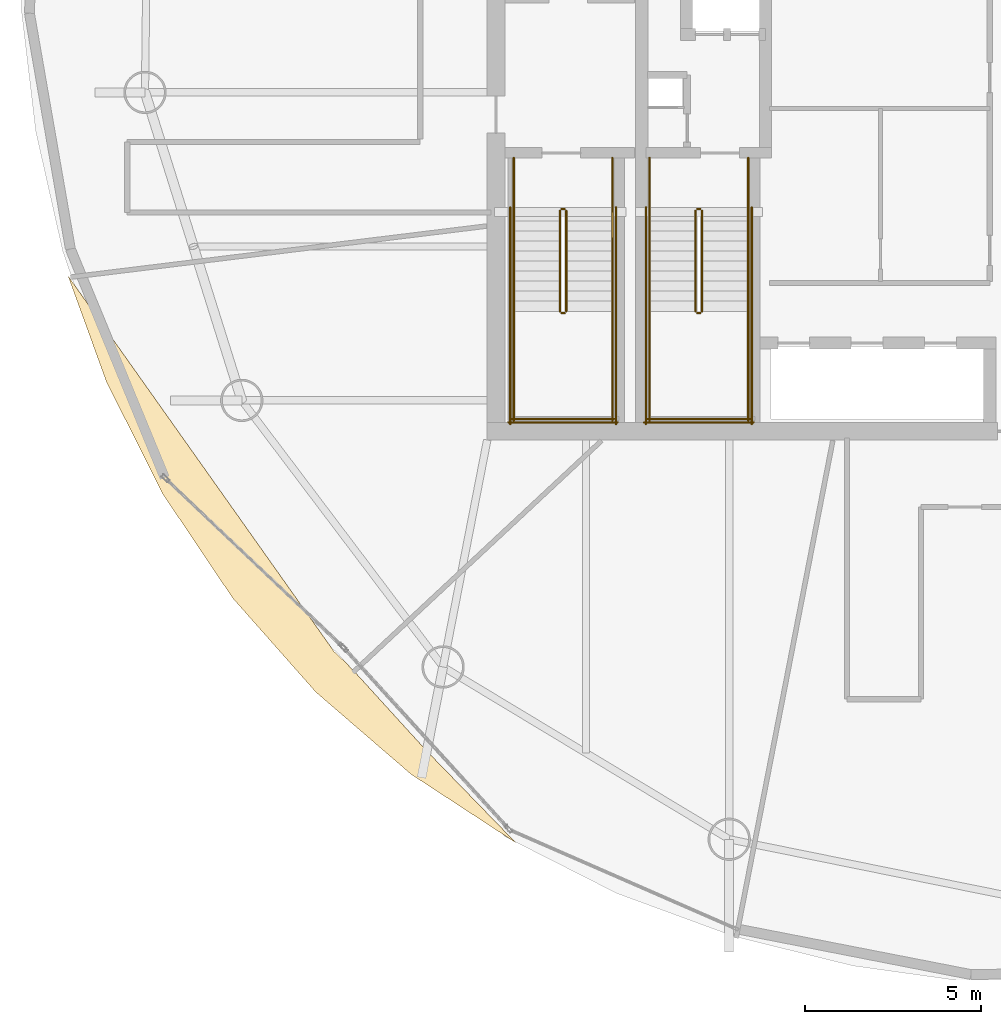
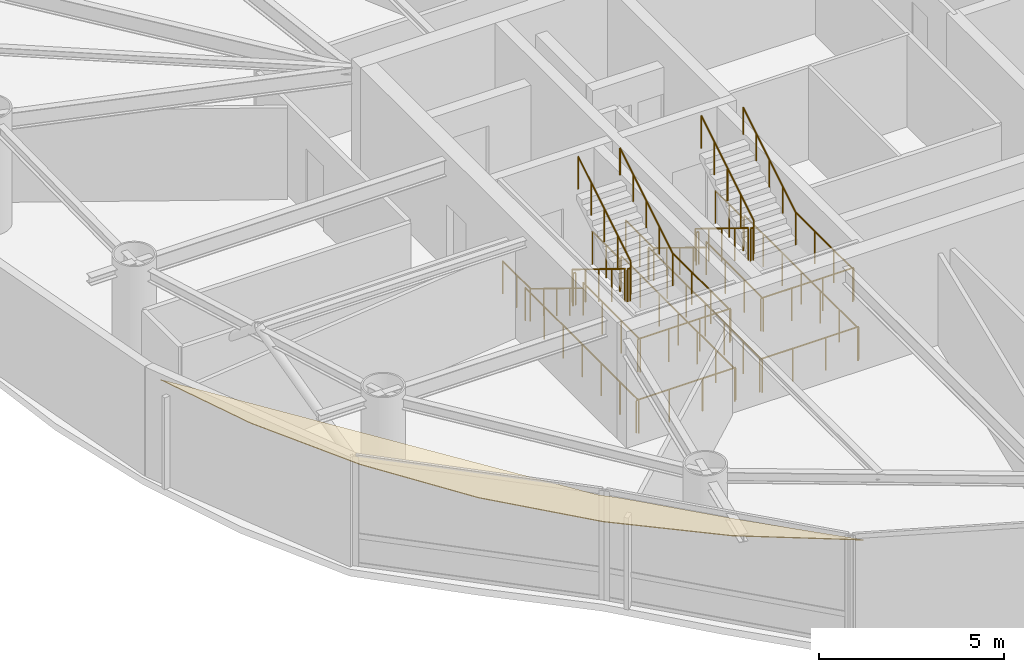
# One storey, part 19 of 22: 28 railings, 1 covering.
"""IFC4 building model written with IfcOpenShell, lengths in metres."""

from ifc_helpers import new_model, si_unit, direction, frame, origin, origin_2d, place, context, subcontext, project, spatial, polyline, circle, outline, extrude, material, layer, layer_set, type_object, element, save


model = new_model("IFC4")

# Units and contexts
model_context = context("Model", 3, precision=1e-05, world=origin(), true_north=direction((0.0, 1.0)))
body_context = subcontext(model_context, "Body", "Model", "MODEL_VIEW")
ifc_project = project(units=[si_unit("LENGTHUNIT", "METRE"), si_unit("AREAUNIT", "SQUARE_METRE"), si_unit("VOLUMEUNIT", "CUBIC_METRE"), si_unit("PLANEANGLEUNIT", "RADIAN"), si_unit("MASSUNIT", "GRAM", prefix="KILO")], contexts=[model_context])

# Site, building, storey
site_placement = place(None, origin())
site = spatial("IfcSite", under=ifc_project, at=site_placement, CompositionType="ELEMENT")
building_placement = place(site_placement, origin())
building = spatial("IfcBuilding", under=site, at=building_placement, Name="Bramvorn Convention Spire", CompositionType="ELEMENT")
storey_placement = place(building_placement, frame((0.0, 0.0, 213.550048828125)))
storey = spatial("IfcBuildingStorey", under=building, at=storey_placement, Name="L54", CompositionType="ELEMENT", Elevation=213.550048828125)

# Covering
ifc_material_1 = material(Name="Champagne Bronze Aluminium Composite Soffit", Category="aluminium")
ifc_layer = layer(ifc_material_1, 0.02490234375)
ifc_layer_set = layer_set([ifc_layer], Name="Champagne Bronze Aluminium Composite Soffit - COV-CLAD-SOFFIT-25")
covering_type = type_object("IfcCoveringType", Name="COV-CLAD-SOFFIT-25", PredefinedType="CLADDING", material=ifc_layer_set)
covering_placement = place(storey_placement, frame((0.0, 0.0, 3.594970703125)))
element("IfcCovering", 1, at=covering_placement, inside=storey, type_object=covering_type, Name="L53 double-height Sky Garden bronze soffit", PredefinedType="CLADDING", context=body_context, shape_type="SweptSolid", body=[
    extrude(outline(polyline([(24.5849609375, 9.07568359375), (27.564697265625, 7.126708984375), (25.04443359375, 9.721923828125), (23.11572265625, 11.83935546875), (22.72900390625, 12.248779296875), (22.412109375, 12.544189453125), (14.865478515625, 23.199462890625), (15.952392578125, 20.2001953125), (17.54833984375, 17.021728515625), (19.533447265625, 14.06591796875), (21.890380859375, 11.39990234375), (24.5849609375, 9.07568359375)])), origin(), (0.0, 0.0, 1.0), 0.02490234375),
])

# Railings
ifc_material_2 = material(Name="Painted Steel Balustrade & Guardrail", Category="steel")
railing_type_1 = type_object("IfcRailingType", Name="RL-STAIR-GUARD-1100", PredefinedType="GUARDRAIL", material=ifc_material_2)
railing_1_placement = place(storey_placement, frame((28.81005859375, 25.050048828125, 0.175048828125)))
element("IfcRailing", 2, at=railing_1_placement, inside=storey, type_object=railing_type_1, Name="L54 ST1 stair guard 1", PredefinedType="GUARDRAIL", context=body_context, shape_type="SweptSolid", body=[
    extrude(circle(Radius=0.02392578125, at=origin_2d()), frame((0.0, 0.0, 1.076171875), z_axis=(0.0, -0.852179220489, 0.52325001306), x_axis=(1.0, 0.0, 0.0)), (0.0, 0.0, 1.0), 3.344482421875),
    extrude(circle(Radius=0.02099609375, at=origin_2d()), origin(), (0.0, 0.0, 1.0), 1.052001953125),
    extrude(circle(Radius=0.02099609375, at=origin_2d()), frame((0.0, -0.71240234375, 0.4375)), (0.0, 0.0, 1.0), 1.052001953125),
    extrude(circle(Radius=0.02099609375, at=origin_2d()), frame((0.0, -1.425048828125, 0.875)), (0.0, 0.0, 1.0), 1.052001953125),
    extrude(circle(Radius=0.02099609375, at=origin_2d()), frame((0.0, -2.1376953125, 1.3125)), (0.0, 0.0, 1.0), 1.052001953125),
    extrude(circle(Radius=0.02099609375, at=origin_2d()), frame((0.0, -2.85009765625, 1.75)), (0.0, 0.0, 1.0), 1.052001953125),
])
railing_2_placement = place(storey_placement, frame((28.860107421875, 22.14990234375, 1.925048828125)))
element("IfcRailing", 3, at=railing_2_placement, inside=storey, type_object=railing_type_1, Name="L54 ST1 stair guard 2", PredefinedType="GUARDRAIL", context=body_context, shape_type="SweptSolid", body=[
    extrude(circle(Radius=0.02392578125, at=origin_2d()), frame((0.0, 0.0, 1.076171875), z_axis=(1.0, 0.0, 0.0), x_axis=(0.0, 1.0, 0.0)), (0.0, 0.0, 1.0), 0.079833984375),
    extrude(circle(Radius=0.02099609375, at=origin_2d()), origin(), (0.0, 0.0, 1.0), 1.052001953125),
    extrude(circle(Radius=0.02099609375, at=origin_2d()), frame((0.079833984375, 0.0, 0.0)), (0.0, 0.0, 1.0), 1.052001953125),
])
for number, where, name in (
    (4, (27.5, 22.199951171875, 1.925048828125), "L54 ST1 stair guard 3"),
    (5, (30.300048828125, 22.199951171875, 1.925048828125), "L54 ST1 stair guard 4"),
):
    element("IfcRailing", number, at=place(storey_placement, frame(where)), inside=storey, type_object=railing_type_1, Name=name, PredefinedType="GUARDRAIL", context=body_context, shape_type="SweptSolid", body=[
        extrude(circle(Radius=0.02392578125, at=origin_2d()), frame((0.0, 0.0, 1.076171875), z_axis=(0.0, -1.0, 0.0), x_axis=(1.0, 0.0, 0.0)), (0.0, 0.0, 1.0), 3.099853515625),
        extrude(circle(Radius=0.02099609375, at=origin_2d()), origin(), (0.0, 0.0, 1.0), 1.052001953125),
        extrude(circle(Radius=0.02099609375, at=origin_2d()), frame((0.0, -1.033203125, 0.0)), (0.0, 0.0, 1.0), 1.052001953125),
        extrude(circle(Radius=0.02099609375, at=origin_2d()), frame((0.0, -2.066650390625, 0.0)), (0.0, 0.0, 1.0), 1.052001953125),
        extrude(circle(Radius=0.02099609375, at=origin_2d()), frame((0.0, -3.099853515625, 0.0)), (0.0, 0.0, 1.0), 1.052001953125),
    ])
railing_3_placement = place(storey_placement, frame((27.449951171875, 19.14990234375, 1.925048828125)))
element("IfcRailing", 6, at=railing_3_placement, inside=storey, type_object=railing_type_1, Name="L54 ST1 stair guard 5", PredefinedType="GUARDRAIL", context=body_context, shape_type="SweptSolid", body=[
    extrude(circle(Radius=0.02392578125, at=origin_2d()), frame((0.0, 0.0, 1.076171875), z_axis=(1.0, 0.0, 0.0), x_axis=(0.0, 1.0, 0.0)), (0.0, 0.0, 1.0), 2.900146484375),
    extrude(circle(Radius=0.02099609375, at=origin_2d()), origin(), (0.0, 0.0, 1.0), 1.052001953125),
    extrude(circle(Radius=0.02099609375, at=origin_2d()), frame((0.966796875, 0.0, 0.0)), (0.0, 0.0, 1.0), 1.052001953125),
    extrude(circle(Radius=0.02099609375, at=origin_2d()), frame((1.933349609375, 0.0, 0.0)), (0.0, 0.0, 1.0), 1.052001953125),
    extrude(circle(Radius=0.02099609375, at=origin_2d()), frame((2.900146484375, 0.0, 0.0)), (0.0, 0.0, 1.0), 1.052001953125),
])
railing_4_placement = place(storey_placement, frame((28.989990234375, 22.199951171875, 2.099853515625)))
element("IfcRailing", 7, at=railing_4_placement, inside=storey, type_object=railing_type_1, Name="L54 ST1 stair guard 6", PredefinedType="GUARDRAIL", context=body_context, shape_type="SweptSolid", body=[
    extrude(circle(Radius=0.02392578125, at=origin_2d()), frame((0.0, 0.0, 1.076171875), z_axis=(0.0, 0.852179220489, 0.52325001306), x_axis=(-1.0, 0.0, 0.0)), (0.0, 0.0, 1.0), 3.344482421875),
    extrude(circle(Radius=0.02099609375, at=origin_2d()), origin(), (0.0, 0.0, 1.0), 1.052001953125),
    extrude(circle(Radius=0.02099609375, at=origin_2d()), frame((0.0, 0.71240234375, 0.4375)), (0.0, 0.0, 1.0), 1.052001953125),
    extrude(circle(Radius=0.02099609375, at=origin_2d()), frame((0.0, 1.425048828125, 0.875)), (0.0, 0.0, 1.0), 1.052001953125),
    extrude(circle(Radius=0.02099609375, at=origin_2d()), frame((0.0, 2.1376953125, 1.3125)), (0.0, 0.0, 1.0), 1.052001953125),
    extrude(circle(Radius=0.02099609375, at=origin_2d()), frame((0.0, 2.85009765625, 1.75)), (0.0, 0.0, 1.0), 1.052001953125),
])
railing_5_placement = place(storey_placement, frame((28.860107421875, 25.10009765625, 0.0)))
element("IfcRailing", 8, at=railing_5_placement, inside=storey, type_object=railing_type_1, Name="L54 ST1 stair guard 7", PredefinedType="GUARDRAIL", context=body_context, shape_type="SweptSolid", body=[
    extrude(circle(Radius=0.02392578125, at=origin_2d()), frame((0.0, 0.0, 1.076171875), z_axis=(1.0, 0.0, 0.0), x_axis=(0.0, 1.0, 0.0)), (0.0, 0.0, 1.0), 0.079833984375),
    extrude(circle(Radius=0.02099609375, at=origin_2d()), origin(), (0.0, 0.0, 1.0), 1.052001953125),
    extrude(circle(Radius=0.02099609375, at=origin_2d()), frame((0.079833984375, 0.0, 0.0)), (0.0, 0.0, 1.0), 1.052001953125),
])
for number, where, name in (
    (9, (27.5, 26.550048828125, 0.0), "L54 ST1 stair guard 8"),
    (10, (30.300048828125, 26.550048828125, 0.0), "L54 ST1 stair guard 9"),
):
    element("IfcRailing", number, at=place(storey_placement, frame(where)), inside=storey, type_object=railing_type_1, Name=name, PredefinedType="GUARDRAIL", context=body_context, shape_type="SweptSolid", body=[
        extrude(circle(Radius=0.02392578125, at=origin_2d()), frame((0.0, 0.0, 1.076171875), z_axis=(0.0, -1.0, 0.0), x_axis=(1.0, 0.0, 0.0)), (0.0, 0.0, 1.0), 1.5),
        extrude(circle(Radius=0.02099609375, at=origin_2d()), origin(), (0.0, 0.0, 1.0), 1.052001953125),
        extrude(circle(Radius=0.02099609375, at=origin_2d()), frame((0.0, -0.75, 0.0)), (0.0, 0.0, 1.0), 1.052001953125),
        extrude(circle(Radius=0.02099609375, at=origin_2d()), frame((0.0, -1.5, 0.0)), (0.0, 0.0, 1.0), 1.052001953125),
    ])
for number, where, name in (
    (11, (27.39990234375, 25.14990234375, 0.0), "L54 ST1 stair guard 10"),
    (12, (30.39990234375, 25.14990234375, 0.0), "L54 ST1 stair guard 11"),
):
    element("IfcRailing", number, at=place(storey_placement, frame(where)), inside=storey, type_object=railing_type_1, Name=name, PredefinedType="GUARDRAIL", context=body_context, shape_type="SweptSolid", body=[
        extrude(circle(Radius=0.02392578125, at=origin_2d()), frame((0.0, 0.0, 1.076171875), z_axis=(0.0, -1.0, 0.0), x_axis=(1.0, 0.0, 0.0)), (0.0, 0.0, 1.0), 6.14990234375),
        extrude(circle(Radius=0.02099609375, at=origin_2d()), origin(), (0.0, 0.0, 1.0), 1.052001953125),
        extrude(circle(Radius=0.02099609375, at=origin_2d()), frame((0.0, -1.02490234375, 0.0)), (0.0, 0.0, 1.0), 1.052001953125),
        extrude(circle(Radius=0.02099609375, at=origin_2d()), frame((0.0, -2.050048828125, 0.0)), (0.0, 0.0, 1.0), 1.052001953125),
        extrude(circle(Radius=0.02099609375, at=origin_2d()), frame((0.0, -3.074951171875, 0.0)), (0.0, 0.0, 1.0), 1.052001953125),
        extrude(circle(Radius=0.02099609375, at=origin_2d()), frame((0.0, -4.099853515625, 0.0)), (0.0, 0.0, 1.0), 1.052001953125),
        extrude(circle(Radius=0.02099609375, at=origin_2d()), frame((0.0, -5.125, 0.0)), (0.0, 0.0, 1.0), 1.052001953125),
        extrude(circle(Radius=0.02099609375, at=origin_2d()), frame((0.0, -6.14990234375, 0.0)), (0.0, 0.0, 1.0), 1.052001953125),
    ])
railing_6_placement = place(storey_placement, frame((27.35009765625, 19.050048828125, 0.0)))
element("IfcRailing", 13, at=railing_6_placement, inside=storey, type_object=railing_type_1, Name="L54 ST1 stair guard 12", PredefinedType="GUARDRAIL", context=body_context, shape_type="SweptSolid", body=[
    extrude(circle(Radius=0.02392578125, at=origin_2d()), frame((0.0, 0.0, 1.076171875), z_axis=(1.0, 0.0, 0.0), x_axis=(0.0, 1.0, 0.0)), (0.0, 0.0, 1.0), 3.099853515625),
    extrude(circle(Radius=0.02099609375, at=origin_2d()), origin(), (0.0, 0.0, 1.0), 1.052001953125),
    extrude(circle(Radius=0.02099609375, at=origin_2d()), frame((1.033203125, 0.0, 0.0)), (0.0, 0.0, 1.0), 1.052001953125),
    extrude(circle(Radius=0.02099609375, at=origin_2d()), frame((2.066650390625, 0.0, 0.0)), (0.0, 0.0, 1.0), 1.052001953125),
    extrude(circle(Radius=0.02099609375, at=origin_2d()), frame((3.099853515625, 0.0, 0.0)), (0.0, 0.0, 1.0), 1.052001953125),
])
railing_7_placement = place(storey_placement, frame((32.659912109375, 25.050048828125, 0.175048828125)))
element("IfcRailing", 14, at=railing_7_placement, inside=storey, type_object=railing_type_1, Name="L54 ST3 stair guard 1", PredefinedType="GUARDRAIL", context=body_context, shape_type="SweptSolid", body=[
    extrude(circle(Radius=0.02392578125, at=origin_2d()), frame((0.0, 0.0, 1.076171875), z_axis=(0.0, -0.852179220489, 0.52325001306), x_axis=(1.0, 0.0, 0.0)), (0.0, 0.0, 1.0), 3.344482421875),
    extrude(circle(Radius=0.02099609375, at=origin_2d()), origin(), (0.0, 0.0, 1.0), 1.052001953125),
    extrude(circle(Radius=0.02099609375, at=origin_2d()), frame((0.0, -0.71240234375, 0.4375)), (0.0, 0.0, 1.0), 1.052001953125),
    extrude(circle(Radius=0.02099609375, at=origin_2d()), frame((0.0, -1.425048828125, 0.875)), (0.0, 0.0, 1.0), 1.052001953125),
    extrude(circle(Radius=0.02099609375, at=origin_2d()), frame((0.0, -2.1376953125, 1.3125)), (0.0, 0.0, 1.0), 1.052001953125),
    extrude(circle(Radius=0.02099609375, at=origin_2d()), frame((0.0, -2.85009765625, 1.75)), (0.0, 0.0, 1.0), 1.052001953125),
])
railing_8_placement = place(storey_placement, frame((32.7099609375, 22.14990234375, 1.925048828125)))
element("IfcRailing", 15, at=railing_8_placement, inside=storey, type_object=railing_type_1, Name="L54 ST3 stair guard 2", PredefinedType="GUARDRAIL", context=body_context, shape_type="SweptSolid", body=[
    extrude(circle(Radius=0.02392578125, at=origin_2d()), frame((0.0, 0.0, 1.076171875), z_axis=(1.0, 0.0, 0.0), x_axis=(0.0, 1.0, 0.0)), (0.0, 0.0, 1.0), 0.080078125),
    extrude(circle(Radius=0.02099609375, at=origin_2d()), origin(), (0.0, 0.0, 1.0), 1.052001953125),
    extrude(circle(Radius=0.02099609375, at=origin_2d()), frame((0.080078125, 0.0, 0.0)), (0.0, 0.0, 1.0), 1.052001953125),
])
for number, where, name in (
    (16, (31.35009765625, 22.199951171875, 1.925048828125), "L54 ST3 stair guard 3"),
    (17, (34.14990234375, 22.199951171875, 1.925048828125), "L54 ST3 stair guard 4"),
):
    element("IfcRailing", number, at=place(storey_placement, frame(where)), inside=storey, type_object=railing_type_1, Name=name, PredefinedType="GUARDRAIL", context=body_context, shape_type="SweptSolid", body=[
        extrude(circle(Radius=0.02392578125, at=origin_2d()), frame((0.0, 0.0, 1.076171875), z_axis=(0.0, -1.0, 0.0), x_axis=(1.0, 0.0, 0.0)), (0.0, 0.0, 1.0), 3.099853515625),
        extrude(circle(Radius=0.02099609375, at=origin_2d()), origin(), (0.0, 0.0, 1.0), 1.052001953125),
        extrude(circle(Radius=0.02099609375, at=origin_2d()), frame((0.0, -1.033203125, 0.0)), (0.0, 0.0, 1.0), 1.052001953125),
        extrude(circle(Radius=0.02099609375, at=origin_2d()), frame((0.0, -2.066650390625, 0.0)), (0.0, 0.0, 1.0), 1.052001953125),
        extrude(circle(Radius=0.02099609375, at=origin_2d()), frame((0.0, -3.099853515625, 0.0)), (0.0, 0.0, 1.0), 1.052001953125),
    ])
railing_9_placement = place(storey_placement, frame((31.300048828125, 19.14990234375, 1.925048828125)))
element("IfcRailing", 18, at=railing_9_placement, inside=storey, type_object=railing_type_1, Name="L54 ST3 stair guard 5", PredefinedType="GUARDRAIL", context=body_context, shape_type="SweptSolid", body=[
    extrude(circle(Radius=0.02392578125, at=origin_2d()), frame((0.0, 0.0, 1.076171875), z_axis=(1.0, 0.0, 0.0), x_axis=(0.0, 1.0, 0.0)), (0.0, 0.0, 1.0), 2.89990234375),
    extrude(circle(Radius=0.02099609375, at=origin_2d()), origin(), (0.0, 0.0, 1.0), 1.052001953125),
    extrude(circle(Radius=0.02099609375, at=origin_2d()), frame((0.966552734375, 0.0, 0.0)), (0.0, 0.0, 1.0), 1.052001953125),
    extrude(circle(Radius=0.02099609375, at=origin_2d()), frame((1.933349609375, 0.0, 0.0)), (0.0, 0.0, 1.0), 1.052001953125),
    extrude(circle(Radius=0.02099609375, at=origin_2d()), frame((2.89990234375, 0.0, 0.0)), (0.0, 0.0, 1.0), 1.052001953125),
])
railing_10_placement = place(storey_placement, frame((32.840087890625, 22.199951171875, 2.099853515625)))
element("IfcRailing", 19, at=railing_10_placement, inside=storey, type_object=railing_type_1, Name="L54 ST3 stair guard 6", PredefinedType="GUARDRAIL", context=body_context, shape_type="SweptSolid", body=[
    extrude(circle(Radius=0.02392578125, at=origin_2d()), frame((0.0, 0.0, 1.076171875), z_axis=(0.0, 0.852179220489, 0.52325001306), x_axis=(-1.0, 0.0, 0.0)), (0.0, 0.0, 1.0), 3.344482421875),
    extrude(circle(Radius=0.02099609375, at=origin_2d()), origin(), (0.0, 0.0, 1.0), 1.052001953125),
    extrude(circle(Radius=0.02099609375, at=origin_2d()), frame((0.0, 0.71240234375, 0.4375)), (0.0, 0.0, 1.0), 1.052001953125),
    extrude(circle(Radius=0.02099609375, at=origin_2d()), frame((0.0, 1.425048828125, 0.875)), (0.0, 0.0, 1.0), 1.052001953125),
    extrude(circle(Radius=0.02099609375, at=origin_2d()), frame((0.0, 2.1376953125, 1.3125)), (0.0, 0.0, 1.0), 1.052001953125),
    extrude(circle(Radius=0.02099609375, at=origin_2d()), frame((0.0, 2.85009765625, 1.75)), (0.0, 0.0, 1.0), 1.052001953125),
])
railing_11_placement = place(storey_placement, frame((32.7099609375, 25.10009765625, 0.0)))
element("IfcRailing", 20, at=railing_11_placement, inside=storey, type_object=railing_type_1, Name="L54 ST3 stair guard 7", PredefinedType="GUARDRAIL", context=body_context, shape_type="SweptSolid", body=[
    extrude(circle(Radius=0.02392578125, at=origin_2d()), frame((0.0, 0.0, 1.076171875), z_axis=(1.0, 0.0, 0.0), x_axis=(0.0, 1.0, 0.0)), (0.0, 0.0, 1.0), 0.080078125),
    extrude(circle(Radius=0.02099609375, at=origin_2d()), origin(), (0.0, 0.0, 1.0), 1.052001953125),
    extrude(circle(Radius=0.02099609375, at=origin_2d()), frame((0.080078125, 0.0, 0.0)), (0.0, 0.0, 1.0), 1.052001953125),
])
for number, where, name in (
    (21, (31.35009765625, 26.550048828125, 0.0), "L54 ST3 stair guard 8"),
    (22, (34.14990234375, 26.550048828125, 0.0), "L54 ST3 stair guard 9"),
):
    element("IfcRailing", number, at=place(storey_placement, frame(where)), inside=storey, type_object=railing_type_1, Name=name, PredefinedType="GUARDRAIL", context=body_context, shape_type="SweptSolid", body=[
        extrude(circle(Radius=0.02392578125, at=origin_2d()), frame((0.0, 0.0, 1.076171875), z_axis=(0.0, -1.0, 0.0), x_axis=(1.0, 0.0, 0.0)), (0.0, 0.0, 1.0), 1.5),
        extrude(circle(Radius=0.02099609375, at=origin_2d()), origin(), (0.0, 0.0, 1.0), 1.052001953125),
        extrude(circle(Radius=0.02099609375, at=origin_2d()), frame((0.0, -0.75, 0.0)), (0.0, 0.0, 1.0), 1.052001953125),
        extrude(circle(Radius=0.02099609375, at=origin_2d()), frame((0.0, -1.5, 0.0)), (0.0, 0.0, 1.0), 1.052001953125),
    ])
for number, where, name in (
    (23, (31.25, 25.14990234375, 0.0), "L54 ST3 stair guard 10"),
    (24, (34.25, 25.14990234375, 0.0), "L54 ST3 stair guard 11"),
):
    element("IfcRailing", number, at=place(storey_placement, frame(where)), inside=storey, type_object=railing_type_1, Name=name, PredefinedType="GUARDRAIL", context=body_context, shape_type="SweptSolid", body=[
        extrude(circle(Radius=0.02392578125, at=origin_2d()), frame((0.0, 0.0, 1.076171875), z_axis=(0.0, -1.0, 0.0), x_axis=(1.0, 0.0, 0.0)), (0.0, 0.0, 1.0), 6.14990234375),
        extrude(circle(Radius=0.02099609375, at=origin_2d()), origin(), (0.0, 0.0, 1.0), 1.052001953125),
        extrude(circle(Radius=0.02099609375, at=origin_2d()), frame((0.0, -1.02490234375, 0.0)), (0.0, 0.0, 1.0), 1.052001953125),
        extrude(circle(Radius=0.02099609375, at=origin_2d()), frame((0.0, -2.050048828125, 0.0)), (0.0, 0.0, 1.0), 1.052001953125),
        extrude(circle(Radius=0.02099609375, at=origin_2d()), frame((0.0, -3.074951171875, 0.0)), (0.0, 0.0, 1.0), 1.052001953125),
        extrude(circle(Radius=0.02099609375, at=origin_2d()), frame((0.0, -4.099853515625, 0.0)), (0.0, 0.0, 1.0), 1.052001953125),
        extrude(circle(Radius=0.02099609375, at=origin_2d()), frame((0.0, -5.125, 0.0)), (0.0, 0.0, 1.0), 1.052001953125),
        extrude(circle(Radius=0.02099609375, at=origin_2d()), frame((0.0, -6.14990234375, 0.0)), (0.0, 0.0, 1.0), 1.052001953125),
    ])
railing_12_placement = place(storey_placement, frame((31.199951171875, 19.050048828125, 0.0)))
element("IfcRailing", 25, at=railing_12_placement, inside=storey, type_object=railing_type_1, Name="L54 ST3 stair guard 12", PredefinedType="GUARDRAIL", context=body_context, shape_type="SweptSolid", body=[
    extrude(circle(Radius=0.02392578125, at=origin_2d()), frame((0.0, 0.0, 1.076171875), z_axis=(1.0, 0.0, 0.0), x_axis=(0.0, 1.0, 0.0)), (0.0, 0.0, 1.0), 3.10009765625),
    extrude(circle(Radius=0.02099609375, at=origin_2d()), origin(), (0.0, 0.0, 1.0), 1.052001953125),
    extrude(circle(Radius=0.02099609375, at=origin_2d()), frame((1.033447265625, 0.0, 0.0)), (0.0, 0.0, 1.0), 1.052001953125),
    extrude(circle(Radius=0.02099609375, at=origin_2d()), frame((2.066650390625, 0.0, 0.0)), (0.0, 0.0, 1.0), 1.052001953125),
    extrude(circle(Radius=0.02099609375, at=origin_2d()), frame((3.10009765625, 0.0, 0.0)), (0.0, 0.0, 1.0), 1.052001953125),
])
ifc_material_3 = material(Name="Brushed Bronze Tubular Handrail", Category="aluminium")
railing_type_2 = type_object("IfcRailingType", Name="RL-STAIR-HR-920", PredefinedType="HANDRAIL", material=ifc_material_3)
railing_13_placement = place(storey_placement, frame((27.5, 25.050048828125, 0.175048828125)))
element("IfcRailing", 26, at=railing_13_placement, inside=storey, type_object=railing_type_2, Name="L54 ST1 stair handrail 1", PredefinedType="HANDRAIL", context=body_context, shape_type="SweptSolid", body=[
    extrude(circle(Radius=0.02392578125, at=origin_2d()), frame((0.0, 0.0, 0.89599609375), z_axis=(0.0, -0.852179220489, 0.52325001306), x_axis=(1.0, 0.0, 0.0)), (0.0, 0.0, 1.0), 3.344482421875),
    extrude(circle(Radius=0.02099609375, at=origin_2d()), origin(), (0.0, 0.0, 1.0), 0.871826171875),
    extrude(circle(Radius=0.02099609375, at=origin_2d()), frame((0.0, -0.71240234375, 0.4375)), (0.0, 0.0, 1.0), 0.871826171875),
    extrude(circle(Radius=0.02099609375, at=origin_2d()), frame((0.0, -1.425048828125, 0.875)), (0.0, 0.0, 1.0), 0.871826171875),
    extrude(circle(Radius=0.02099609375, at=origin_2d()), frame((0.0, -2.1376953125, 1.3125)), (0.0, 0.0, 1.0), 0.871826171875),
    extrude(circle(Radius=0.02099609375, at=origin_2d()), frame((0.0, -2.85009765625, 1.75)), (0.0, 0.0, 1.0), 0.871826171875),
])
railing_14_placement = place(storey_placement, frame((30.300048828125, 22.199951171875, 2.099853515625)))
element("IfcRailing", 27, at=railing_14_placement, inside=storey, type_object=railing_type_2, Name="L54 ST1 stair handrail 2", PredefinedType="HANDRAIL", context=body_context, shape_type="SweptSolid", body=[
    extrude(circle(Radius=0.02392578125, at=origin_2d()), frame((0.0, 0.0, 0.89599609375), z_axis=(0.0, 0.852179220489, 0.52325001306), x_axis=(-1.0, 0.0, 0.0)), (0.0, 0.0, 1.0), 3.344482421875),
    extrude(circle(Radius=0.02099609375, at=origin_2d()), origin(), (0.0, 0.0, 1.0), 0.871826171875),
    extrude(circle(Radius=0.02099609375, at=origin_2d()), frame((0.0, 0.71240234375, 0.4375)), (0.0, 0.0, 1.0), 0.871826171875),
    extrude(circle(Radius=0.02099609375, at=origin_2d()), frame((0.0, 1.425048828125, 0.875)), (0.0, 0.0, 1.0), 0.871826171875),
    extrude(circle(Radius=0.02099609375, at=origin_2d()), frame((0.0, 2.1376953125, 1.3125)), (0.0, 0.0, 1.0), 0.871826171875),
    extrude(circle(Radius=0.02099609375, at=origin_2d()), frame((0.0, 2.85009765625, 1.75)), (0.0, 0.0, 1.0), 0.871826171875),
])
railing_15_placement = place(storey_placement, frame((31.35009765625, 25.050048828125, 0.175048828125)))
element("IfcRailing", 28, at=railing_15_placement, inside=storey, type_object=railing_type_2, Name="L54 ST3 stair handrail 1", PredefinedType="HANDRAIL", context=body_context, shape_type="SweptSolid", body=[
    extrude(circle(Radius=0.02392578125, at=origin_2d()), frame((0.0, 0.0, 0.89599609375), z_axis=(0.0, -0.852179220489, 0.52325001306), x_axis=(1.0, 0.0, 0.0)), (0.0, 0.0, 1.0), 3.344482421875),
    extrude(circle(Radius=0.02099609375, at=origin_2d()), origin(), (0.0, 0.0, 1.0), 0.871826171875),
    extrude(circle(Radius=0.02099609375, at=origin_2d()), frame((0.0, -0.71240234375, 0.4375)), (0.0, 0.0, 1.0), 0.871826171875),
    extrude(circle(Radius=0.02099609375, at=origin_2d()), frame((0.0, -1.425048828125, 0.875)), (0.0, 0.0, 1.0), 0.871826171875),
    extrude(circle(Radius=0.02099609375, at=origin_2d()), frame((0.0, -2.1376953125, 1.3125)), (0.0, 0.0, 1.0), 0.871826171875),
    extrude(circle(Radius=0.02099609375, at=origin_2d()), frame((0.0, -2.85009765625, 1.75)), (0.0, 0.0, 1.0), 0.871826171875),
])
railing_16_placement = place(storey_placement, frame((34.14990234375, 22.199951171875, 2.099853515625)))
element("IfcRailing", 29, at=railing_16_placement, inside=storey, type_object=railing_type_2, Name="L54 ST3 stair handrail 2", PredefinedType="HANDRAIL", context=body_context, shape_type="SweptSolid", body=[
    extrude(circle(Radius=0.02392578125, at=origin_2d()), frame((0.0, 0.0, 0.89599609375), z_axis=(0.0, 0.852179220489, 0.52325001306), x_axis=(-1.0, 0.0, 0.0)), (0.0, 0.0, 1.0), 3.344482421875),
    extrude(circle(Radius=0.02099609375, at=origin_2d()), origin(), (0.0, 0.0, 1.0), 0.871826171875),
    extrude(circle(Radius=0.02099609375, at=origin_2d()), frame((0.0, 0.71240234375, 0.4375)), (0.0, 0.0, 1.0), 0.871826171875),
    extrude(circle(Radius=0.02099609375, at=origin_2d()), frame((0.0, 1.425048828125, 0.875)), (0.0, 0.0, 1.0), 0.871826171875),
    extrude(circle(Radius=0.02099609375, at=origin_2d()), frame((0.0, 2.1376953125, 1.3125)), (0.0, 0.0, 1.0), 0.871826171875),
    extrude(circle(Radius=0.02099609375, at=origin_2d()), frame((0.0, 2.85009765625, 1.75)), (0.0, 0.0, 1.0), 0.871826171875),
])

save(model, "model.ifc")
